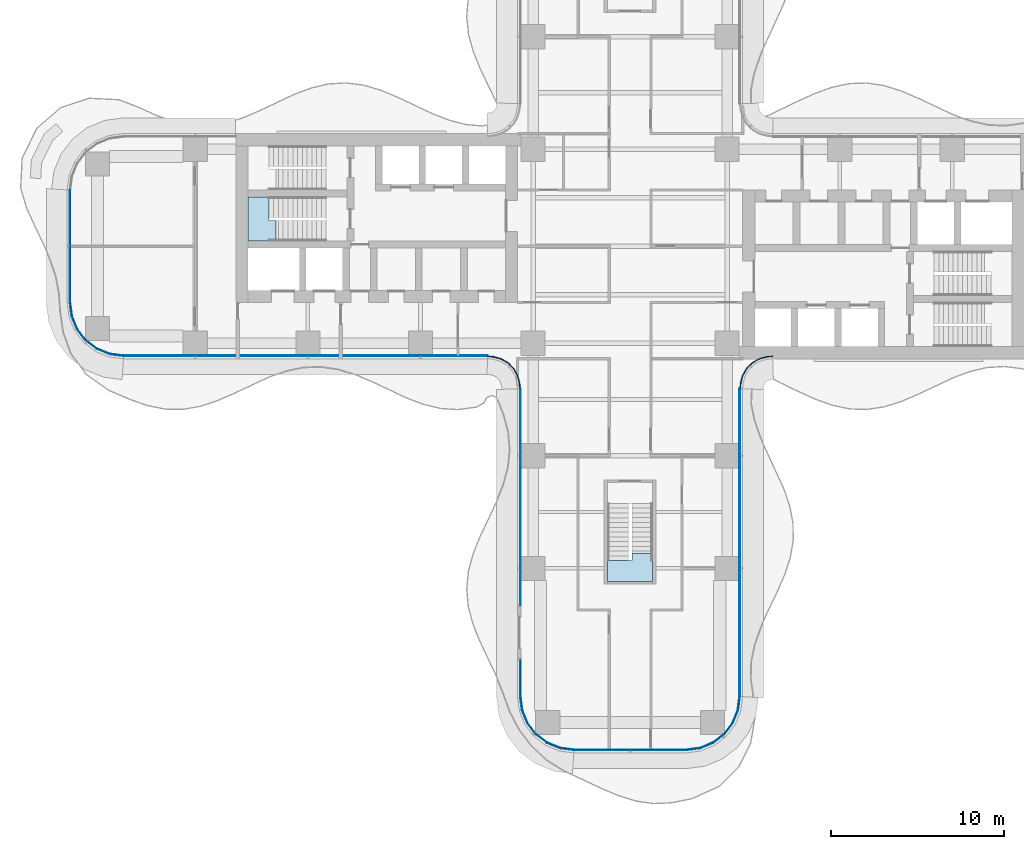
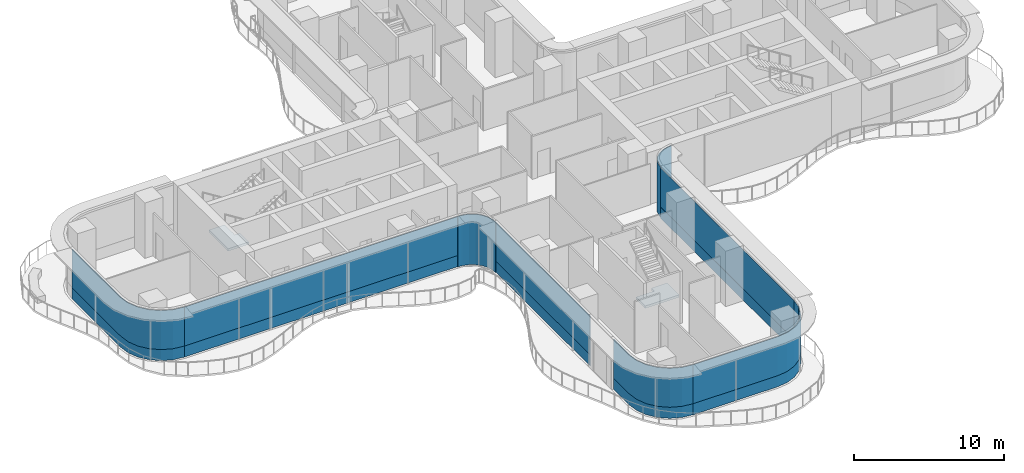
# One storey, part 14 of 22: 14 plates, 2 slabs, 10 elements without a shape of their own.
"""IFC4 building model written with IfcOpenShell, lengths in metres."""

from ifc_helpers import new_model, si_unit, direction, frame, origin, place, context, subcontext, project, spatial, polyline, outline, extrude, source, transform, mapped, material, layer, layer_set, type_object, element, aggregate, save


model = new_model("IFC4")

# Units and contexts
model_context = context("Model", 3, precision=1e-05, world=origin(), true_north=direction((0.0, 1.0)))
body_context = subcontext(model_context, "Body", "Model", "MODEL_VIEW")
ifc_project = project(units=[si_unit("LENGTHUNIT", "METRE"), si_unit("AREAUNIT", "SQUARE_METRE"), si_unit("VOLUMEUNIT", "CUBIC_METRE"), si_unit("PLANEANGLEUNIT", "RADIAN"), si_unit("MASSUNIT", "GRAM", prefix="KILO")], contexts=[model_context])

# Site, building, storey
site_placement = place(None, origin())
site = spatial("IfcSite", under=ifc_project, at=site_placement, CompositionType="ELEMENT")
building_placement = place(site_placement, origin())
building = spatial("IfcBuilding", under=site, at=building_placement, Name="Trellis Farm Tower", CompositionType="ELEMENT")
storey_placement = place(building_placement, frame((0.0, 0.0, 61.0)))
storey = spatial("IfcBuildingStorey", under=building, at=storey_placement, Name="L12", CompositionType="ELEMENT", Elevation=61.0)

# Stair, slab
ifc_material_1 = material(Name="Concrete C50/60", Category="concrete")
stair_type = type_object("IfcStairType", Name="CORE EXIT STAIR 26 RISERS 173 MM", PredefinedType="HALF_TURN_STAIR", material=ifc_material_1)
placement_1 = place(storey_placement, origin())
stair_1 = element("IfcStair", 1, at=placement_1, inside=storey, type_object=stair_type, Name="Exit stair S", PredefinedType="HALF_TURN_STAIR")
ifc_layer_1 = layer(ifc_material_1, 0.18994140625)
ifc_layer_set_1 = layer_set([ifc_layer_1], Name="CORE STAIR LANDING 190 CONCRETE C50/60")
slab_type = type_object("IfcSlabType", Name="CORE STAIR LANDING 190 CONCRETE C50/60", PredefinedType="LANDING", material=ifc_layer_set_1)
shared_shape_1 = source(origin(), body_context, "Body", "SweptSolid", [
    extrude(outline(polyline([(1.300048828125, -19.35009765625), (-1.300048828125, -19.35009765625), (-1.300048828125, -18.14990234375), (-1.300048828125, -18.139892578125), (-0.10009765625, -18.139892578125), (-0.10009765625, -18.14990234375), (0.10009765625, -18.14990234375), (0.10009765625, -17.753173828125), (1.300048828125, -17.753173828125), (1.300048828125, -18.14990234375), (1.300048828125, -19.35009765625)])), origin(), (0.0, 0.0, 1.0), 0.18994140625),
])
placement_2 = place(storey_placement, frame((0.0, 0.0, 2.06005859375)))
slab_1 = element("IfcSlab", 2, at=placement_2, type_object=slab_type, Name="STS landing 1", PredefinedType="LANDING", context=body_context, shape_type="MappedRepresentation", body=[
    mapped(shared_shape_1, transform((0.0, 0.0, 0.0))),
])
aggregate(stair_1, [slab_1])

stair_2 = element("IfcStair", 3, at=placement_1, inside=storey, type_object=stair_type, Name="Exit stair W2", PredefinedType="HALF_TURN_STAIR")
shared_shape_2 = source(origin(), body_context, "Body", "SweptSolid", [
    extrude(outline(polyline([(-20.453125, 1.5), (-20.453125, 0.300048828125), (-20.85009765625, 0.300048828125), (-22.050048828125, 0.300048828125), (-22.050048828125, 2.85009765625), (-20.85009765625, 2.85009765625), (-20.840087890625, 2.85009765625), (-20.840087890625, 1.64990234375), (-20.85009765625, 1.64990234375), (-20.85009765625, 1.5), (-20.453125, 1.5)])), origin(), (0.0, 0.0, 1.0), 0.18994140625),
])
slab_2 = element("IfcSlab", 4, at=placement_2, type_object=slab_type, Name="STW2 landing 1", PredefinedType="LANDING", context=body_context, shape_type="MappedRepresentation", body=[
    mapped(shared_shape_2, transform((0.0, 0.0, 0.0))),
])
aggregate(stair_2, [slab_2])

# Curtain wall, plates
ifc_material_2 = material(Name="Aluminium and glass curtain wall", Category="aluminium")
ifc_layer_2 = layer(ifc_material_2, 0.18994140625)
ifc_layer_set_2 = layer_set([ifc_layer_2], Name="RIBBON CURTAIN WALL CW1")
curtain_wall_type_1 = type_object("IfcCurtainWallType", Name="RIBBON CURTAIN WALL CW1", PredefinedType="NOTDEFINED", material=ifc_layer_set_2)
curtain_wall_1 = element("IfcCurtainWall", 5, at=placement_1, inside=storey, type_object=curtain_wall_type_1, Name="CW1 001", PredefinedType="NOTDEFINED")
ifc_material_3 = material(Name="Clear insulated glass", Category="glass")
ifc_layer_3 = layer(ifc_material_3, 0.0400390625)
ifc_layer_set_3 = layer_set([ifc_layer_3], Name="CW1 GLASS PANEL 40")
plate_type_1 = type_object("IfcPlateType", Name="CW1 GLASS PANEL 40", PredefinedType="CURTAIN_PANEL", material=ifc_layer_set_3)
shared_shape_3 = source(origin(), body_context, "Body", "SweptSolid", [
    extrude(outline(polyline([(-29.240234375, -6.35009765625), (-8.2265625, -6.35009765625), (-8.22509765625, -6.31005859375), (-29.237548828125, -6.31005859375), (-29.240234375, -6.35009765625)])), origin(), (0.0, 0.0, 1.0), 3.170166015625),
])
placement_3 = place(storey_placement, frame((0.0, 0.0, 0.89990234375)))
plate_1 = element("IfcPlate", 6, at=placement_3, type_object=plate_type_1, Name="PL1 001", PredefinedType="CURTAIN_PANEL", context=body_context, shape_type="MappedRepresentation", body=[
    mapped(shared_shape_3, transform((0.0, 0.0, 0.0))),
])
ifc_material_4 = material(Name="Sandstone faced insulated panel", Category="masonry")
ifc_layer_4 = layer(ifc_material_4, 0.050048828125)
ifc_layer_set_4 = layer_set([ifc_layer_4], Name="CW1 STONE SPANDREL PANEL 50")
plate_type_2 = type_object("IfcPlateType", Name="CW1 STONE SPANDREL PANEL 50", PredefinedType="CURTAIN_PANEL", material=ifc_layer_set_4)
shared_shape_4 = source(origin(), body_context, "Body", "SweptSolid", [
    extrude(outline(polyline([(-29.240234375, -6.35009765625), (-8.2265625, -6.35009765625), (-8.224853515625, -6.300048828125), (-29.23681640625, -6.300048828125), (-29.240234375, -6.35009765625)])), origin(), (0.0, 0.0, 1.0), 0.89990234375),
])
plate_2 = element("IfcPlate", 7, at=placement_1, type_object=plate_type_2, Name="PS1 001", PredefinedType="CURTAIN_PANEL", context=body_context, shape_type="MappedRepresentation", body=[
    mapped(shared_shape_4, transform((0.0, 0.0, 0.0))),
])
aggregate(curtain_wall_1, [plate_1, plate_2])

# Curtain wall, plate
ifc_layer_5 = layer(ifc_material_2, 0.166015625)
ifc_layer_set_5 = layer_set([ifc_layer_5], Name="WINTER GARDEN CURTAIN WALL CW3")
curtain_wall_type_2 = type_object("IfcCurtainWallType", Name="WINTER GARDEN CURTAIN WALL CW3", PredefinedType="NOTDEFINED", material=ifc_layer_set_5)
curtain_wall_2 = element("IfcCurtainWall", 8, at=placement_1, inside=storey, type_object=curtain_wall_type_2, Name="CW3 001", PredefinedType="NOTDEFINED")
ifc_layer_6 = layer(ifc_material_3, 0.0458984375)
ifc_layer_set_6 = layer_set([ifc_layer_6], Name="CW3 GLASS PANEL 46")
plate_type_3 = type_object("IfcPlateType", Name="CW3 GLASS PANEL 46", PredefinedType="CURTAIN_PANEL", material=ifc_layer_set_6)
shared_shape_5 = source(origin(), body_context, "Body", "SweptSolid", [
    extrude(outline(polyline([(-8.2275390625, -6.3798828125), (-8.0078125, -6.394287109375), (-7.89208984375, -6.40966796875), (-7.462158203125, -6.52490234375), (-7.070556640625, -6.7509765625), (-6.7509765625, -7.070556640625), (-6.52490234375, -7.462158203125), (-6.40966796875, -7.89208984375), (-6.394287109375, -8.0078125), (-6.3798828125, -8.2275390625), (-6.333984375, -8.22607421875), (-6.3486328125, -8.003173828125), (-6.364501953125, -7.883056640625), (-6.48193359375, -7.4443359375), (-6.714111328125, -7.04248046875), (-7.04248046875, -6.714111328125), (-7.4443359375, -6.48193359375), (-7.883056640625, -6.364501953125), (-8.003173828125, -6.3486328125), (-8.22607421875, -6.333984375), (-8.2275390625, -6.3798828125)])), origin(), (0.0, 0.0, 1.0), 4.10009765625),
])
plate_3 = element("IfcPlate", 9, at=placement_1, type_object=plate_type_3, Name="PL3 001", PredefinedType="CURTAIN_PANEL", context=body_context, shape_type="MappedRepresentation", body=[
    mapped(shared_shape_5, transform((0.0, 0.0, 0.0))),
])
aggregate(curtain_wall_2, [plate_3])

# Curtain wall, plates
curtain_wall_3 = element("IfcCurtainWall", 10, at=placement_1, inside=storey, type_object=curtain_wall_type_1, Name="CW1 004", PredefinedType="NOTDEFINED")
shared_shape_6 = source(origin(), body_context, "Body", "SweptSolid", [
    extrude(outline(polyline([(-3.240234375, -29.10009765625), (3.240234375, -29.10009765625), (4.052001953125, -28.9931640625), (4.79931640625, -28.68359375), (5.441162109375, -28.191162109375), (5.93359375, -27.54931640625), (6.2431640625, -26.802001953125), (6.35009765625, -25.990234375), (6.31005859375, -25.987548828125), (6.2041015625, -26.79150390625), (5.898681640625, -27.529296875), (5.41259765625, -28.16259765625), (4.779296875, -28.648681640625), (4.04150390625, -28.9541015625), (3.237548828125, -29.06005859375), (-3.237548828125, -29.06005859375), (-3.240234375, -29.10009765625)])), origin(), (0.0, 0.0, 1.0), 3.170166015625),
])
plate_4 = element("IfcPlate", 11, at=placement_3, type_object=plate_type_1, Name="PL1 004", PredefinedType="CURTAIN_PANEL", context=body_context, shape_type="MappedRepresentation", body=[
    mapped(shared_shape_6, transform((0.0, 0.0, 0.0))),
])
shared_shape_7 = source(origin(), body_context, "Body", "SweptSolid", [
    extrude(outline(polyline([(-3.240234375, -29.10009765625), (3.240234375, -29.10009765625), (4.052001953125, -28.9931640625), (4.79931640625, -28.68359375), (5.441162109375, -28.191162109375), (5.93359375, -27.54931640625), (6.2431640625, -26.802001953125), (6.35009765625, -25.990234375), (6.300048828125, -25.98681640625), (6.1943359375, -26.7890625), (5.889892578125, -27.524169921875), (5.405517578125, -28.155517578125), (4.774169921875, -28.639892578125), (4.0390625, -28.9443359375), (3.23681640625, -29.050048828125), (-3.23681640625, -29.050048828125), (-3.240234375, -29.10009765625)])), origin(), (0.0, 0.0, 1.0), 0.89990234375),
])
plate_5 = element("IfcPlate", 12, at=placement_1, type_object=plate_type_2, Name="PS1 004", PredefinedType="CURTAIN_PANEL", context=body_context, shape_type="MappedRepresentation", body=[
    mapped(shared_shape_7, transform((0.0, 0.0, 0.0))),
])
aggregate(curtain_wall_3, [plate_4, plate_5])

curtain_wall_4 = element("IfcCurtainWall", 13, at=placement_1, inside=storey, type_object=curtain_wall_type_1, Name="CW1 005", PredefinedType="NOTDEFINED")
shared_shape_8 = source(origin(), body_context, "Body", "SweptSolid", [
    extrude(outline(polyline([(6.35009765625, -25.990234375), (6.35009765625, -8.2265625), (6.31005859375, -8.22509765625), (6.31005859375, -25.987548828125), (6.35009765625, -25.990234375)])), origin(), (0.0, 0.0, 1.0), 3.170166015625),
])
plate_6 = element("IfcPlate", 14, at=placement_3, type_object=plate_type_1, Name="PL1 005", PredefinedType="CURTAIN_PANEL", context=body_context, shape_type="MappedRepresentation", body=[
    mapped(shared_shape_8, transform((0.0, 0.0, 0.0))),
])
shared_shape_9 = source(origin(), body_context, "Body", "SweptSolid", [
    extrude(outline(polyline([(6.35009765625, -25.990234375), (6.35009765625, -8.2265625), (6.300048828125, -8.224853515625), (6.300048828125, -25.98681640625), (6.35009765625, -25.990234375)])), origin(), (0.0, 0.0, 1.0), 0.89990234375),
])
plate_7 = element("IfcPlate", 15, at=placement_1, type_object=plate_type_2, Name="PS1 005", PredefinedType="CURTAIN_PANEL", context=body_context, shape_type="MappedRepresentation", body=[
    mapped(shared_shape_9, transform((0.0, 0.0, 0.0))),
])
aggregate(curtain_wall_4, [plate_6, plate_7])

# Curtain wall, plate
curtain_wall_5 = element("IfcCurtainWall", 16, at=placement_1, inside=storey, type_object=curtain_wall_type_2, Name="CW3 002", PredefinedType="NOTDEFINED")
shared_shape_10 = source(origin(), body_context, "Body", "SweptSolid", [
    extrude(outline(polyline([(6.3798828125, -8.2275390625), (6.394287109375, -8.0078125), (6.40966796875, -7.89208984375), (6.52490234375, -7.462158203125), (6.7509765625, -7.070556640625), (7.070556640625, -6.7509765625), (7.462158203125, -6.52490234375), (7.89208984375, -6.40966796875), (8.0078125, -6.394287109375), (8.2275390625, -6.3798828125), (8.22607421875, -6.333984375), (8.003173828125, -6.3486328125), (7.883056640625, -6.364501953125), (7.4443359375, -6.48193359375), (7.04248046875, -6.714111328125), (6.714111328125, -7.04248046875), (6.48193359375, -7.4443359375), (6.364501953125, -7.883056640625), (6.3486328125, -8.003173828125), (6.333984375, -8.22607421875), (6.3798828125, -8.2275390625)])), origin(), (0.0, 0.0, 1.0), 4.10009765625),
])
plate_8 = element("IfcPlate", 17, at=placement_1, type_object=plate_type_3, Name="PL3 002", PredefinedType="CURTAIN_PANEL", context=body_context, shape_type="MappedRepresentation", body=[
    mapped(shared_shape_10, transform((0.0, 0.0, 0.0))),
])
aggregate(curtain_wall_5, [plate_8])

# Curtain wall, plates
curtain_wall_6 = element("IfcCurtainWall", 18, at=placement_1, inside=storey, type_object=curtain_wall_type_1, Name="CW1 014", PredefinedType="NOTDEFINED")
shared_shape_11 = source(origin(), body_context, "Body", "SweptSolid", [
    extrude(outline(polyline([(-32.35009765625, 3.240234375), (-32.35009765625, -3.240234375), (-32.2431640625, -4.052001953125), (-31.93359375, -4.79931640625), (-31.441162109375, -5.441162109375), (-30.79931640625, -5.93359375), (-30.052001953125, -6.2431640625), (-29.240234375, -6.35009765625), (-29.237548828125, -6.31005859375), (-30.04150390625, -6.2041015625), (-30.779296875, -5.898681640625), (-31.41259765625, -5.41259765625), (-31.898681640625, -4.779296875), (-32.2041015625, -4.04150390625), (-32.31005859375, -3.237548828125), (-32.31005859375, 3.237548828125), (-32.35009765625, 3.240234375)])), origin(), (0.0, 0.0, 1.0), 3.170166015625),
])
plate_9 = element("IfcPlate", 19, at=placement_3, type_object=plate_type_1, Name="PL1 014", PredefinedType="CURTAIN_PANEL", context=body_context, shape_type="MappedRepresentation", body=[
    mapped(shared_shape_11, transform((0.0, 0.0, 0.0))),
])
shared_shape_12 = source(origin(), body_context, "Body", "SweptSolid", [
    extrude(outline(polyline([(-32.35009765625, 3.240234375), (-32.35009765625, -3.240234375), (-32.2431640625, -4.052001953125), (-31.93359375, -4.79931640625), (-31.441162109375, -5.441162109375), (-30.79931640625, -5.93359375), (-30.052001953125, -6.2431640625), (-29.240234375, -6.35009765625), (-29.23681640625, -6.300048828125), (-30.0390625, -6.1943359375), (-30.774169921875, -5.889892578125), (-31.405517578125, -5.405517578125), (-31.889892578125, -4.774169921875), (-32.1943359375, -4.0390625), (-32.300048828125, -3.23681640625), (-32.300048828125, 3.23681640625), (-32.35009765625, 3.240234375)])), origin(), (0.0, 0.0, 1.0), 0.89990234375),
])
plate_10 = element("IfcPlate", 20, at=placement_1, type_object=plate_type_2, Name="PS1 014", PredefinedType="CURTAIN_PANEL", context=body_context, shape_type="MappedRepresentation", body=[
    mapped(shared_shape_12, transform((0.0, 0.0, 0.0))),
])
aggregate(curtain_wall_6, [plate_9, plate_10])

curtain_wall_7 = element("IfcCurtainWall", 21, at=placement_1, inside=storey, type_object=curtain_wall_type_1, Name="CW1 002", PredefinedType="NOTDEFINED")
shared_shape_13 = source(origin(), body_context, "Body", "SweptSolid", [
    extrude(outline(polyline([(-6.35009765625, -8.2265625), (-6.35009765625, -20.739990234375), (-6.31005859375, -20.739990234375), (-6.31005859375, -8.22509765625), (-6.35009765625, -8.2265625)])), origin(), (0.0, 0.0, 1.0), 3.170166015625),
])
plate_11 = element("IfcPlate", 22, at=placement_3, type_object=plate_type_1, Name="PL1 002", PredefinedType="CURTAIN_PANEL", context=body_context, shape_type="MappedRepresentation", body=[
    mapped(shared_shape_13, transform((0.0, 0.0, 0.0))),
])
shared_shape_14 = source(origin(), body_context, "Body", "SweptSolid", [
    extrude(outline(polyline([(-6.35009765625, -8.2265625), (-6.35009765625, -20.739990234375), (-6.300048828125, -20.739990234375), (-6.300048828125, -8.224853515625), (-6.35009765625, -8.2265625)])), origin(), (0.0, 0.0, 1.0), 0.89990234375),
])
plate_12 = element("IfcPlate", 23, at=placement_1, type_object=plate_type_2, Name="PS1 002", PredefinedType="CURTAIN_PANEL", context=body_context, shape_type="MappedRepresentation", body=[
    mapped(shared_shape_14, transform((0.0, 0.0, 0.0))),
])
aggregate(curtain_wall_7, [plate_11, plate_12])

curtain_wall_8 = element("IfcCurtainWall", 24, at=placement_1, inside=storey, type_object=curtain_wall_type_1, Name="CW1 003", PredefinedType="NOTDEFINED")
shared_shape_15 = source(origin(), body_context, "Body", "SweptSolid", [
    extrude(outline(polyline([(-6.35009765625, -23.860107421875), (-6.35009765625, -25.990234375), (-6.2431640625, -26.802001953125), (-5.93359375, -27.54931640625), (-5.441162109375, -28.191162109375), (-4.79931640625, -28.68359375), (-4.052001953125, -28.9931640625), (-3.240234375, -29.10009765625), (-3.237548828125, -29.06005859375), (-4.04150390625, -28.9541015625), (-4.779296875, -28.648681640625), (-5.41259765625, -28.16259765625), (-5.898681640625, -27.529296875), (-6.2041015625, -26.79150390625), (-6.31005859375, -25.987548828125), (-6.31005859375, -23.860107421875), (-6.35009765625, -23.860107421875)])), origin(), (0.0, 0.0, 1.0), 3.170166015625),
])
plate_13 = element("IfcPlate", 25, at=placement_3, type_object=plate_type_1, Name="PL1 003", PredefinedType="CURTAIN_PANEL", context=body_context, shape_type="MappedRepresentation", body=[
    mapped(shared_shape_15, transform((0.0, 0.0, 0.0))),
])
shared_shape_16 = source(origin(), body_context, "Body", "SweptSolid", [
    extrude(outline(polyline([(-6.35009765625, -23.860107421875), (-6.35009765625, -25.990234375), (-6.2431640625, -26.802001953125), (-5.93359375, -27.54931640625), (-5.441162109375, -28.191162109375), (-4.79931640625, -28.68359375), (-4.052001953125, -28.9931640625), (-3.240234375, -29.10009765625), (-3.23681640625, -29.050048828125), (-4.0390625, -28.9443359375), (-4.774169921875, -28.639892578125), (-5.405517578125, -28.155517578125), (-5.889892578125, -27.524169921875), (-6.1943359375, -26.7890625), (-6.300048828125, -25.98681640625), (-6.300048828125, -23.860107421875), (-6.35009765625, -23.860107421875)])), origin(), (0.0, 0.0, 1.0), 0.89990234375),
])
plate_14 = element("IfcPlate", 26, at=placement_1, type_object=plate_type_2, Name="PS1 003", PredefinedType="CURTAIN_PANEL", context=body_context, shape_type="MappedRepresentation", body=[
    mapped(shared_shape_16, transform((0.0, 0.0, 0.0))),
])
aggregate(curtain_wall_8, [plate_13, plate_14])

save(model, "model.ifc")
